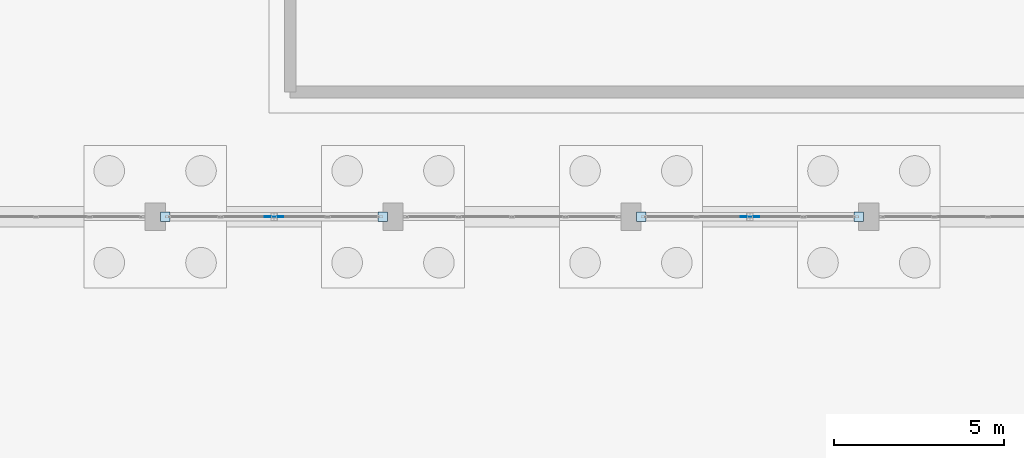
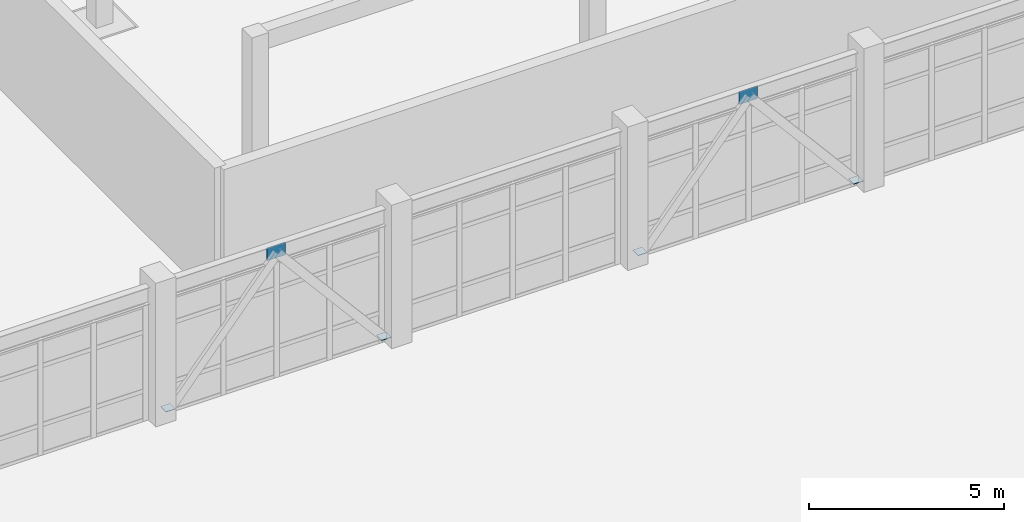
# One storey, part 115 of 154: 6 plates.
"""IFC4 building model written with IfcOpenShell, lengths in metres."""

from ifc_helpers import new_model, si_unit, direction, frame, origin, origin_2d, place, context, subcontext, project, spatial, rectangle, extrude, material, layer, layer_set, type_object, element, save


model = new_model("IFC4")

# Units and contexts
model_context = context("Model", 3, precision=1e-05, world=origin(), true_north=direction((0.0, 1.0)))
body_context = subcontext(model_context, "Body", "Model", "MODEL_VIEW")
ifc_project = project(units=[si_unit("LENGTHUNIT", "METRE"), si_unit("AREAUNIT", "SQUARE_METRE"), si_unit("VOLUMEUNIT", "CUBIC_METRE"), si_unit("PLANEANGLEUNIT", "RADIAN"), si_unit("MASSUNIT", "GRAM", prefix="KILO")], contexts=[model_context])

# Site, building, storey
site_placement = place(None, origin())
site = spatial("IfcSite", under=ifc_project, at=site_placement, CompositionType="ELEMENT")
building_placement = place(site_placement, origin())
building = spatial("IfcBuilding", under=site, at=building_placement, Name="Kestramere Prow Commons", CompositionType="ELEMENT")
storey_placement = place(building_placement, origin())
storey = spatial("IfcBuildingStorey", under=building, at=storey_placement, Name="L00", CompositionType="ELEMENT", Elevation=0.0)

# Plates
ifc_material = material(Name="Steel S355JR", Category="steel")
ifc_layer_1 = layer(ifc_material, 0.01611328125)
ifc_layer_set_1 = layer_set([ifc_layer_1], Name="Steel S355JR")
plate_type_1 = type_object("IfcPlateType", Name="PL-ENDCAP-16 (EX)", PredefinedType="SHEET", material=ifc_layer_set_1)
for number, where, z_axis, x_axis, name in (
    (1, (16.5, 43.5, 0.141845703125), (0.0, 0.0, 1.0), (1.0, 0.0, 0.0), "Brace Cap Plate 3L"),
    (2, (22.89990234375, 43.5, 0.141845703125), (0.0, 0.0, 1.0), (1.0, 0.0, 0.0), "Brace Cap Plate 3R"),
    (3, (30.5, 43.5, 0.141845703125), (0.0, 0.0, 1.0), (1.0, 0.0, 0.0), "Brace Cap Plate 5L"),
    (4, (36.89990234375, 43.5, 0.141845703125), (0.0, 0.0, 1.0), (1.0, 0.0, 0.0), "Brace Cap Plate 5R"),
):
    element("IfcPlate", number, at=place(storey_placement, frame(where, z_axis=z_axis, x_axis=x_axis)), inside=storey, type_object=plate_type_1, Name=name, PredefinedType="SHEET", context=body_context, shape_type="SweptSolid", body=[
        extrude(rectangle(XDim=0.280029296875, YDim=0.280029296875, at=origin_2d()), origin(), (0.0, 0.0, 1.0), 0.01611328125),
    ])
ifc_layer_2 = layer(ifc_material, 0.02001953125)
ifc_layer_set_2 = layer_set([ifc_layer_2], Name="Steel S355JR")
plate_type_2 = type_object("IfcPlateType", Name="PL-GUSSET-20 (EX)", PredefinedType="SHEET", material=ifc_layer_set_2)
for number, where, z_axis, x_axis, name in (
    (5, (19.699951171875, 43.5, 3.7333984375), (0.0, 0.0, 1.0), (1.0, 0.0, 0.0), "Chevron Gusset Plate 3"),
    (6, (33.699951171875, 43.5, 3.7333984375), (0.0, 0.0, 1.0), (1.0, 0.0, 0.0), "Chevron Gusset Plate 5"),
):
    element("IfcPlate", number, at=place(storey_placement, frame(where, z_axis=z_axis, x_axis=x_axis)), inside=storey, type_object=plate_type_2, Name=name, PredefinedType="SHEET", context=body_context, shape_type="SweptSolid", body=[
        extrude(rectangle(XDim=0.550048828125, YDim=0.02001953125, at=origin_2d()), origin(), (0.0, 0.0, 1.0), 0.39990234375),
    ])

save(model, "model.ifc")
